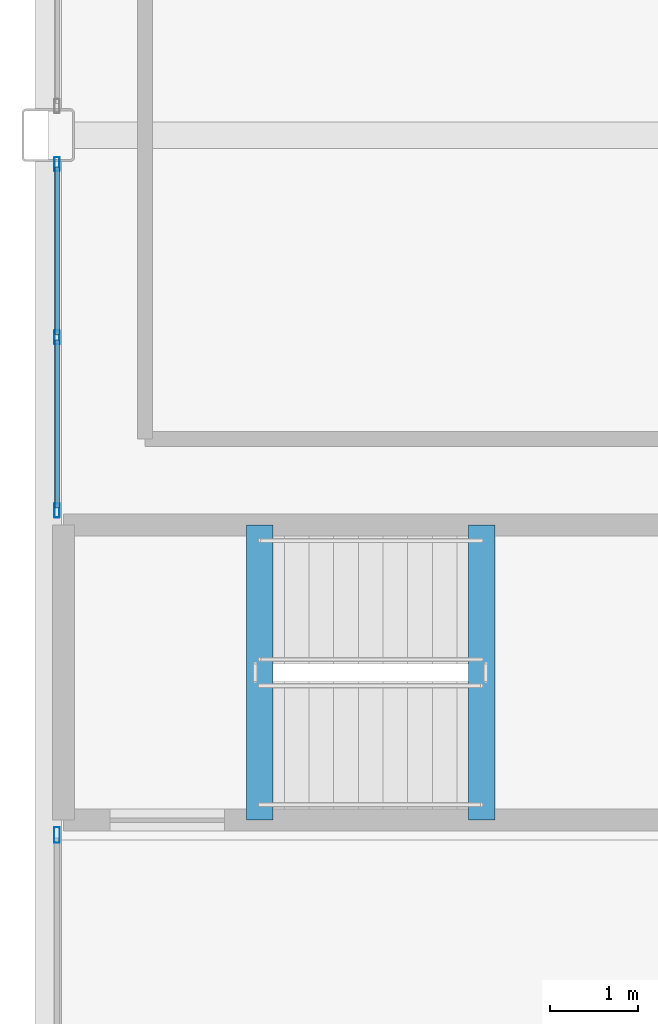
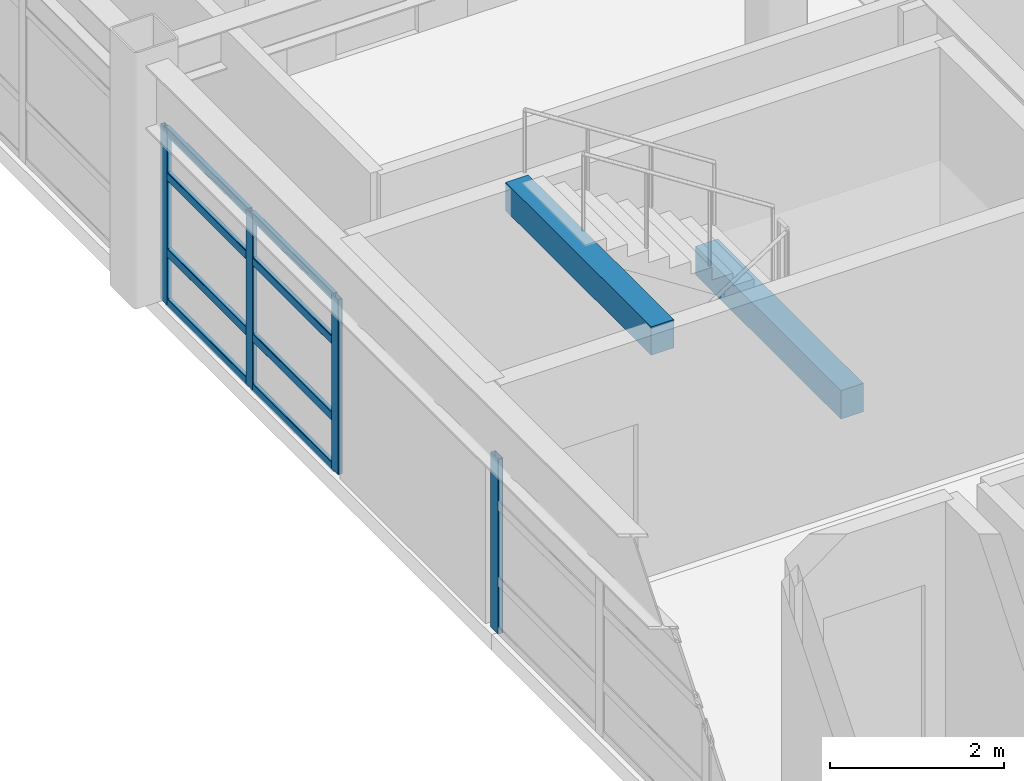
# One storey, part 15 of 36: 12 members, 2 beams, 2 elements without a shape of their own.
"""IFC4 building model written with IfcOpenShell, lengths in metres."""

from ifc_helpers import new_model, si_unit, direction, frame, origin, origin_2d, place, context, subcontext, project, spatial, rectangle, hollow_rectangle, extrude, material, layer, layer_set, material_profile, profile_set, type_object, element, aggregate, save


model = new_model("IFC4")

# Units and contexts
model_context = context("Model", 3, precision=1e-05, world=origin(), true_north=direction((0.0, 1.0)))
body_context = subcontext(model_context, "Body", "Model", "MODEL_VIEW")
ifc_project = project(units=[si_unit("LENGTHUNIT", "METRE"), si_unit("AREAUNIT", "SQUARE_METRE"), si_unit("VOLUMEUNIT", "CUBIC_METRE"), si_unit("PLANEANGLEUNIT", "RADIAN"), si_unit("MASSUNIT", "GRAM", prefix="KILO")], contexts=[model_context])

# Site, building, storey
site_placement = place(None, origin())
site = spatial("IfcSite", under=ifc_project, at=site_placement, CompositionType="ELEMENT")
building_placement = place(site_placement, origin())
building = spatial("IfcBuilding", under=site, at=building_placement, Name="Kazehara Bluff Congress Hotel", CompositionType="ELEMENT")
storey_placement = place(building_placement, frame((0.0, 0.0, 28.199951171875)))
storey = spatial("IfcBuildingStorey", under=building, at=storey_placement, Name="L06", CompositionType="ELEMENT", Elevation=28.199951171875)

# Curtain wall, members
ifc_material_1 = material(Name="Anodised aluminium", Category="aluminium")
ifc_layer_1 = layer(ifc_material_1, 0.159912109375)
ifc_layer_set_1 = layer_set([ifc_layer_1], Name="Anodised aluminium")
curtain_wall_type_1 = type_object("IfcCurtainWallType", Name="TP-CW-178", PredefinedType="NOTDEFINED", material=ifc_layer_set_1)
curtain_wall_1_placement = place(storey_placement, origin())
curtain_wall_1 = element("IfcCurtainWall", 1, at=curtain_wall_1_placement, inside=storey, type_object=curtain_wall_type_1, Name="L06 curtain wall CW-178 CW-ENC-V5-L06-14380-5416", PredefinedType="NOTDEFINED")
ifc_material_2 = material(Name="Anodised aluminium", Category="aluminium")
ifc_material_profile_1 = material_profile(ifc_material_2, hollow_rectangle(XDim=0.06005859375, YDim=0.159912109375, WallThickness=0.00390625, InnerFilletRadius=0.00390625, OuterFilletRadius=0.008056640625, at=origin_2d()))
ifc_profile_set_1 = profile_set([ifc_material_profile_1], Name="Anodised aluminium")
member_type_1 = type_object("IfcMemberType", Name="TP-CWM-01", PredefinedType="MULLION", material=ifc_profile_set_1)
member_1_placement = place(storey_placement, frame((143.800048828125, 52.18994140625, 0.0), z_axis=(0.0, 0.0, 1.0), x_axis=(-1.0, 0.0, 0.0)))
member_1 = element("IfcMember", 2, at=member_1_placement, type_object=member_type_1, Name="CW-178 mullion 1", PredefinedType="MULLION", context=body_context, shape_type="SweptSolid", body=[
    extrude(hollow_rectangle(XDim=0.06005859375, YDim=0.159912109375, WallThickness=0.00390625, InnerFilletRadius=0.00390625, OuterFilletRadius=0.008056640625, at=origin_2d()), origin(), (0.0, 0.0, 1.0), 2.455078125),
])
member_2_placement = place(storey_placement, frame((143.800048828125, 54.155029296875, 0.0), z_axis=(0.0, 0.0, 1.0), x_axis=(-1.0, 0.0, 0.0)))
member_2 = element("IfcMember", 3, at=member_2_placement, type_object=member_type_1, Name="CW-178 mullion 2", PredefinedType="MULLION", context=body_context, shape_type="SweptSolid", body=[
    extrude(hollow_rectangle(XDim=0.06005859375, YDim=0.159912109375, WallThickness=0.00390625, InnerFilletRadius=0.00390625, OuterFilletRadius=0.008056640625, at=origin_2d()), origin(), (0.0, 0.0, 1.0), 2.455078125),
])
member_3_placement = place(storey_placement, frame((143.800048828125, 56.1201171875, 0.0), z_axis=(0.0, 0.0, 1.0), x_axis=(-1.0, 0.0, 0.0)))
member_3 = element("IfcMember", 4, at=member_3_placement, type_object=member_type_1, Name="CW-178 mullion 3", PredefinedType="MULLION", context=body_context, shape_type="SweptSolid", body=[
    extrude(hollow_rectangle(XDim=0.06005859375, YDim=0.159912109375, WallThickness=0.00390625, InnerFilletRadius=0.00390625, OuterFilletRadius=0.008056640625, at=origin_2d()), origin(), (0.0, 0.0, 1.0), 2.455078125),
])

# Curtain wall, member
ifc_material_3 = material(Name="Anodised aluminium", Category="aluminium")
ifc_layer_2 = layer(ifc_material_3, 0.159912109375)
ifc_layer_set_2 = layer_set([ifc_layer_2], Name="Anodised aluminium")
curtain_wall_type_2 = type_object("IfcCurtainWallType", Name="TP-CW-177", PredefinedType="NOTDEFINED", material=ifc_layer_set_2)
curtain_wall_2_placement = place(storey_placement, origin())
curtain_wall_2 = element("IfcCurtainWall", 5, at=curtain_wall_2_placement, inside=storey, type_object=curtain_wall_type_2, Name="L06 curtain wall CW-177 CW-ENC-V5-L06-14380-4487", PredefinedType="NOTDEFINED")
ifc_material_4 = material(Name="Anodised aluminium", Category="aluminium")
ifc_material_profile_2 = material_profile(ifc_material_4, hollow_rectangle(XDim=0.06494140625, YDim=0.179931640625, WallThickness=0.00390625, InnerFilletRadius=0.00390625, OuterFilletRadius=0.008056640625, at=origin_2d()))
ifc_profile_set_2 = profile_set([ifc_material_profile_2], Name="Anodised aluminium")
member_type_2 = type_object("IfcMemberType", Name="TP-CWM-02", PredefinedType="MULLION", material=ifc_profile_set_2)
member_4_placement = place(storey_placement, frame((143.800048828125, 48.507568359375, 0.0), z_axis=(0.0, 0.0, 1.0), x_axis=(-1.0, 0.0, 0.0)))
member_4 = element("IfcMember", 6, at=member_4_placement, type_object=member_type_2, Name="CW-177 mullion 4", PredefinedType="MULLION", context=body_context, shape_type="SweptSolid", body=[
    extrude(hollow_rectangle(XDim=0.06494140625, YDim=0.179931640625, WallThickness=0.00390625, InnerFilletRadius=0.00390625, OuterFilletRadius=0.008056640625, at=origin_2d()), origin(), (0.0, 0.0, 1.0), 2.455078125),
])
aggregate(curtain_wall_2, [member_4])

# Member
ifc_material_5 = material(Name="Anodised aluminium", Category="aluminium")
ifc_material_profile_3 = material_profile(ifc_material_5, hollow_rectangle(XDim=0.06005859375, YDim=0.1201171875, WallThickness=0.00390625, InnerFilletRadius=0.00390625, OuterFilletRadius=0.008056640625, at=origin_2d()))
ifc_profile_set_3 = profile_set([ifc_material_profile_3], Name="Anodised aluminium")
member_type_3 = type_object("IfcMemberType", Name="TP-CWT-01", PredefinedType="USERDEFINED", material=ifc_profile_set_3)
member_5_placement = place(storey_placement, frame((143.800048828125, 52.219970703125, 0.030029296875), z_axis=(0.0, 1.0, 0.0), x_axis=(-1.0, 0.0, 0.0)))
member_5 = element("IfcMember", 7, at=member_5_placement, type_object=member_type_3, Name="CW-178 transom 1.1", ObjectType="TRANSOM", PredefinedType="USERDEFINED", context=body_context, shape_type="SweptSolid", body=[
    extrude(hollow_rectangle(XDim=0.06005859375, YDim=0.1201171875, WallThickness=0.00390625, InnerFilletRadius=0.00390625, OuterFilletRadius=0.008056640625, at=origin_2d()), origin(), (0.0, 0.0, 1.0), 1.905029296875),
])

member_6_placement = place(storey_placement, frame((143.800048828125, 52.219970703125, 0.735107421875), z_axis=(0.0, 1.0, 0.0), x_axis=(-1.0, 0.0, 0.0)))
member_6 = element("IfcMember", 8, at=member_6_placement, type_object=member_type_3, Name="CW-178 transom 1.2", ObjectType="TRANSOM", PredefinedType="USERDEFINED", context=body_context, shape_type="SweptSolid", body=[
    extrude(hollow_rectangle(XDim=0.06005859375, YDim=0.1201171875, WallThickness=0.00390625, InnerFilletRadius=0.00390625, OuterFilletRadius=0.008056640625, at=origin_2d()), origin(), (0.0, 0.0, 1.0), 1.905029296875),
])

member_7_placement = place(storey_placement, frame((143.800048828125, 52.219970703125, 1.804931640625), z_axis=(0.0, 1.0, 0.0), x_axis=(-1.0, 0.0, 0.0)))
member_7 = element("IfcMember", 9, at=member_7_placement, type_object=member_type_3, Name="CW-178 transom 1.3", ObjectType="TRANSOM", PredefinedType="USERDEFINED", context=body_context, shape_type="SweptSolid", body=[
    extrude(hollow_rectangle(XDim=0.06005859375, YDim=0.1201171875, WallThickness=0.00390625, InnerFilletRadius=0.00390625, OuterFilletRadius=0.008056640625, at=origin_2d()), origin(), (0.0, 0.0, 1.0), 1.905029296875),
])

member_8_placement = place(storey_placement, frame((143.800048828125, 52.219970703125, 2.425048828125), z_axis=(0.0, 1.0, 0.0), x_axis=(-1.0, 0.0, 0.0)))
member_8 = element("IfcMember", 10, at=member_8_placement, type_object=member_type_3, Name="CW-178 transom 1.4", ObjectType="TRANSOM", PredefinedType="USERDEFINED", context=body_context, shape_type="SweptSolid", body=[
    extrude(hollow_rectangle(XDim=0.06005859375, YDim=0.1201171875, WallThickness=0.00390625, InnerFilletRadius=0.00390625, OuterFilletRadius=0.008056640625, at=origin_2d()), origin(), (0.0, 0.0, 1.0), 1.905029296875),
])

member_9_placement = place(storey_placement, frame((143.800048828125, 54.18505859375, 0.030029296875), z_axis=(0.0, 1.0, 0.0), x_axis=(-1.0, 0.0, 0.0)))
member_9 = element("IfcMember", 11, at=member_9_placement, type_object=member_type_3, Name="CW-178 transom 2.1", ObjectType="TRANSOM", PredefinedType="USERDEFINED", context=body_context, shape_type="SweptSolid", body=[
    extrude(hollow_rectangle(XDim=0.06005859375, YDim=0.1201171875, WallThickness=0.00390625, InnerFilletRadius=0.00390625, OuterFilletRadius=0.008056640625, at=origin_2d()), origin(), (0.0, 0.0, 1.0), 1.905029296875),
])

member_10_placement = place(storey_placement, frame((143.800048828125, 54.18505859375, 0.735107421875), z_axis=(0.0, 1.0, 0.0), x_axis=(-1.0, 0.0, 0.0)))
member_10 = element("IfcMember", 12, at=member_10_placement, type_object=member_type_3, Name="CW-178 transom 2.2", ObjectType="TRANSOM", PredefinedType="USERDEFINED", context=body_context, shape_type="SweptSolid", body=[
    extrude(hollow_rectangle(XDim=0.06005859375, YDim=0.1201171875, WallThickness=0.00390625, InnerFilletRadius=0.00390625, OuterFilletRadius=0.008056640625, at=origin_2d()), origin(), (0.0, 0.0, 1.0), 1.905029296875),
])

member_11_placement = place(storey_placement, frame((143.800048828125, 54.18505859375, 1.804931640625), z_axis=(0.0, 1.0, 0.0), x_axis=(-1.0, 0.0, 0.0)))
member_11 = element("IfcMember", 13, at=member_11_placement, type_object=member_type_3, Name="CW-178 transom 2.3", ObjectType="TRANSOM", PredefinedType="USERDEFINED", context=body_context, shape_type="SweptSolid", body=[
    extrude(hollow_rectangle(XDim=0.06005859375, YDim=0.1201171875, WallThickness=0.00390625, InnerFilletRadius=0.00390625, OuterFilletRadius=0.008056640625, at=origin_2d()), origin(), (0.0, 0.0, 1.0), 1.905029296875),
])

member_12_placement = place(storey_placement, frame((143.800048828125, 54.18505859375, 2.425048828125), z_axis=(0.0, 1.0, 0.0), x_axis=(-1.0, 0.0, 0.0)))
member_12 = element("IfcMember", 14, at=member_12_placement, type_object=member_type_3, Name="CW-178 transom 2.4", ObjectType="TRANSOM", PredefinedType="USERDEFINED", context=body_context, shape_type="SweptSolid", body=[
    extrude(hollow_rectangle(XDim=0.06005859375, YDim=0.1201171875, WallThickness=0.00390625, InnerFilletRadius=0.00390625, OuterFilletRadius=0.008056640625, at=origin_2d()), origin(), (0.0, 0.0, 1.0), 1.905029296875),
])

aggregate(curtain_wall_1, [member_1, member_2, member_3, member_5, member_6, member_7, member_8, member_9, member_10, member_11, member_12])

# Beams
ifc_material_6 = material(Name="Concrete C40/50", Category="concrete")
ifc_material_profile_4 = material_profile(ifc_material_6, rectangle(XDim=0.300048828125, YDim=0.39990234375, at=origin_2d()))
ifc_profile_set_4 = profile_set([ifc_material_profile_4], Name="Concrete C40/50")
beam_type = type_object("IfcBeamType", Name="TP-LN-02", PredefinedType="LINTEL", material=ifc_profile_set_4)
for number, where, z_axis, x_axis, name in (
    (15, (148.6201171875, 48.675048828125, 1.420166015625), (0.0, 1.0, 0.0), (-1.0, 0.0, 0.0), "L06 ST-11 half-landing support beam 1"),
    (16, (146.10009765625, 48.675048828125, 3.199951171875), (0.0, 1.0, 0.0), (-1.0, 0.0, 0.0), "L07 ST-11 stairwell trimmer beam"),
):
    element("IfcBeam", number, at=place(storey_placement, frame(where, z_axis=z_axis, x_axis=x_axis)), inside=storey, type_object=beam_type, Name=name, PredefinedType="LINTEL", context=body_context, shape_type="SweptSolid", body=[
        extrude(rectangle(XDim=0.300048828125, YDim=0.39990234375, at=origin_2d()), origin(), (0.0, 0.0, 1.0), 3.349853515625),
    ])

save(model, "model.ifc")
